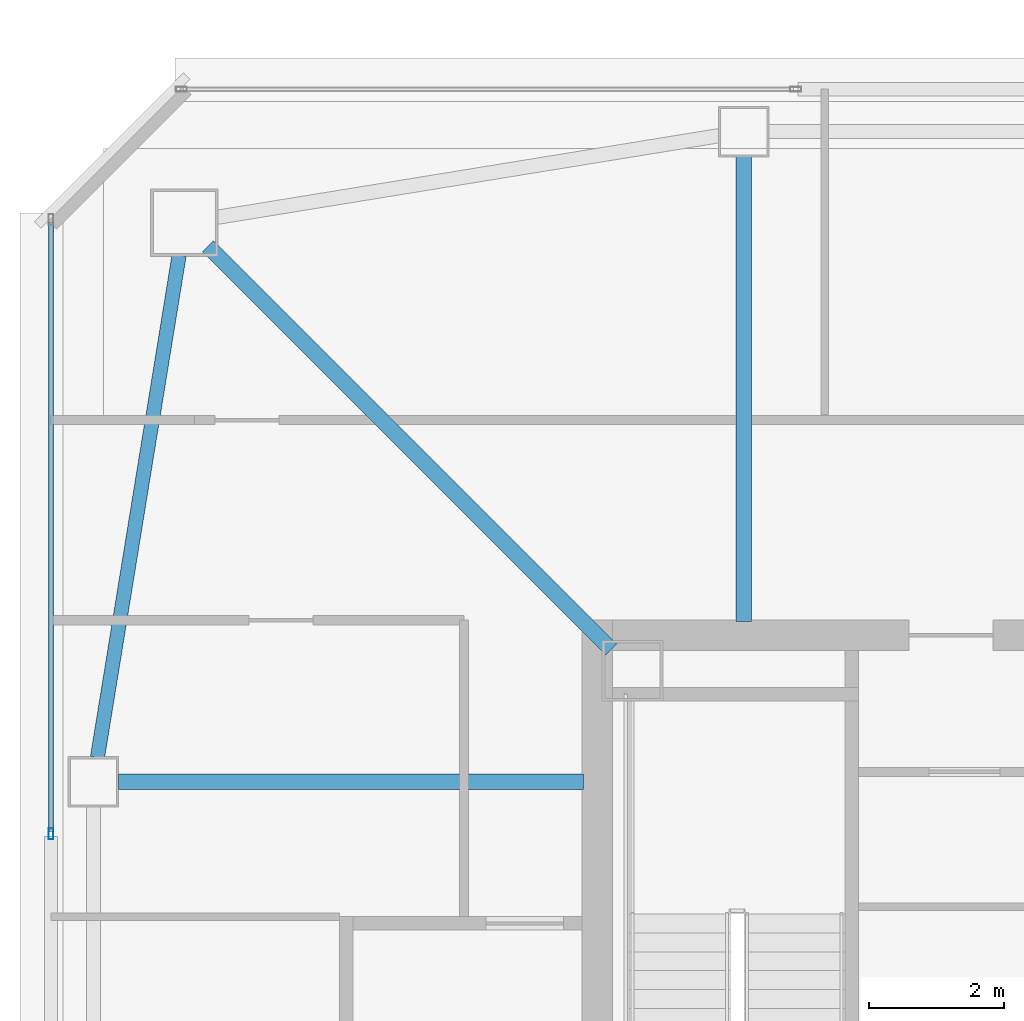
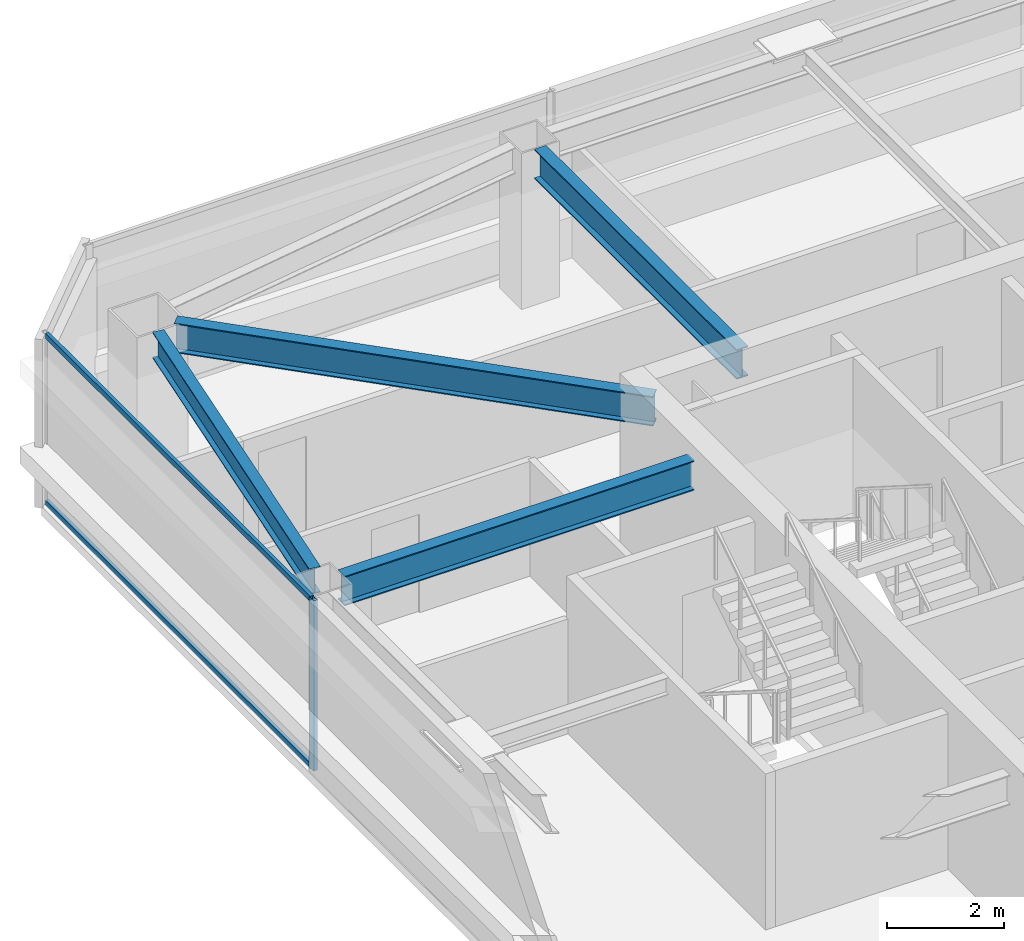
# One storey, part 10 of 39: 4 beams, 3 members, 1 element without a shape of its own.
"""IFC4 building model written with IfcOpenShell, lengths in metres."""

from ifc_helpers import new_model, si_unit, direction, frame, origin, origin_2d, place, context, subcontext, project, spatial, hollow_rectangle, i_section, extrude, material, material_profile, profile_set, type_object, element, aggregate, save


model = new_model("IFC4")

# Units and contexts
model_context = context("Model", 3, precision=1e-05, world=origin(), true_north=direction((0.0, 1.0)))
body_context = subcontext(model_context, "Body", "Model", "MODEL_VIEW")
ifc_project = project(units=[si_unit("LENGTHUNIT", "METRE"), si_unit("AREAUNIT", "SQUARE_METRE"), si_unit("VOLUMEUNIT", "CUBIC_METRE"), si_unit("PLANEANGLEUNIT", "RADIAN"), si_unit("MASSUNIT", "GRAM", prefix="KILO")], contexts=[model_context])

# Site, building, storey
site_placement = place(None, origin())
site = spatial("IfcSite", under=ifc_project, at=site_placement, CompositionType="ELEMENT")
building_placement = place(site_placement, origin())
building = spatial("IfcBuilding", under=site, at=building_placement, Name="Tashvorn Skyway Center", CompositionType="ELEMENT")
storey_placement = place(building_placement, frame((0.0, 0.0, 243.25)))
storey = spatial("IfcBuildingStorey", under=building, at=storey_placement, Name="L66", CompositionType="ELEMENT", Elevation=243.25)

# Beams
ifc_material_1 = material(Name="Steel ASTM A992 Grade 50", Category="steel")
ifc_material_profile_1 = material_profile(ifc_material_1, i_section(OverallWidth=0.22998046875, OverallDepth=0.616943359375, WebThickness=0.01318359375, FlangeThickness=0.022216796875, at=origin_2d()), Name="W24X94")
ifc_profile_set_1 = profile_set([ifc_material_profile_1], Name="Steel ASTM A992 Grade 50")
beam_type_1 = type_object("IfcBeamType", Name="BM-BEAM-W24X94", PredefinedType="BEAM", material=ifc_profile_set_1)
beam_1_placement = place(storey_placement, frame((28.64990234375, 45.35009765625, 2.94140625), z_axis=(0.707106781187, -0.707106781187, 0.0), x_axis=(0.707106781187, 0.707106781187, 0.0)))
element("IfcBeam", 1, at=beam_1_placement, inside=storey, type_object=beam_type_1, Name="Tower 1 L66 Primary Floor Girder MC-NW", PredefinedType="BEAM", context=body_context, shape_type="SweptSolid", body=[
    extrude(i_section(OverallWidth=0.22998046875, OverallDepth=0.616943359375, WebThickness=0.01318359375, FlangeThickness=0.022216796875, at=origin_2d()), origin(), (0.0, 0.0, 1.0), 8.464599609375),
])
for number, where, z_axis, x_axis, name in (
    (2, (36.60009765625, 46.679931640625, 2.94140625), (0.0, -1.0, 0.0), (1.0, 0.0, 0.0), "Tower 1 L66 Primary Floor Girder FC-N2"),
    (3, (27.320068359375, 37.39990234375, 2.94140625), (1.0, 0.0, 0.0), (0.0, 1.0, 0.0), "Tower 1 L66 Primary Floor Girder FC-W1"),
):
    element("IfcBeam", number, at=place(storey_placement, frame(where, z_axis=z_axis, x_axis=x_axis)), inside=storey, type_object=beam_type_1, Name=name, PredefinedType="BEAM", context=body_context, shape_type="SweptSolid", body=[
        extrude(i_section(OverallWidth=0.22998046875, OverallDepth=0.616943359375, WebThickness=0.01318359375, FlangeThickness=0.022216796875, at=origin_2d()), origin(), (0.0, 0.0, 1.0), 6.89990234375),
    ])
ifc_material_profile_2 = material_profile(ifc_material_1, i_section(OverallWidth=0.2109375, OverallDepth=0.5390625, WebThickness=0.01171875, FlangeThickness=0.018798828125, at=origin_2d()), Name="W21X73")
ifc_profile_set_2 = profile_set([ifc_material_profile_2], Name="Steel ASTM A992 Grade 50")
beam_type_2 = type_object("IfcBeamType", Name="BM-SPANDREL-W21X73", PredefinedType="SPANDREL", material=ifc_profile_set_2)
beam_2_placement = place(storey_placement, frame((28.220458984375, 45.21142578125, 2.98046875), z_axis=(-0.160514302677, -0.987033514444, 0.0), x_axis=(0.987033514444, -0.160514302677, 0.0)))
element("IfcBeam", 4, at=beam_2_placement, inside=storey, type_object=beam_type_2, Name="Tower 1 L66 Spandrel Beam 10", PredefinedType="SPANDREL", context=body_context, shape_type="SweptSolid", body=[
    extrude(i_section(OverallWidth=0.2109375, OverallDepth=0.5390625, WebThickness=0.01171875, FlangeThickness=0.018798828125, at=origin_2d()), origin(), (0.0, 0.0, 1.0), 7.544189453125),
])

# Curtain wall, members
ifc_material_2 = material(Name="Thermally broken bronze-anodized aluminium 6063-T6", Category="aluminium")
curtain_wall_type = type_object("IfcCurtainWallType", Name="CW-CW-Z5", PredefinedType="NOTDEFINED", material=ifc_material_2)
curtain_wall_placement = place(storey_placement, origin())
curtain_wall = element("IfcCurtainWall", 5, at=curtain_wall_placement, inside=storey, type_object=curtain_wall_type, Name="Tower 1 L66 West Unitised Curtain Wall Glazing Group 2", PredefinedType="NOTDEFINED")
ifc_material_profile_3 = material_profile(ifc_material_2, hollow_rectangle(XDim=0.070068359375, YDim=0.1650390625, WallThickness=0.00390625, at=origin_2d()), Name="ALU-MULL-70x165")
ifc_profile_set_3 = profile_set([ifc_material_profile_3], Name="Thermally broken bronze-anodized aluminium 6063-T6")
member_type_1 = type_object("IfcMemberType", Name="CWM-CW-Z5", PredefinedType="MULLION", material=ifc_profile_set_3)
member_1_placement = place(storey_placement, frame((26.320068359375, 36.62841796875, 0.0), z_axis=(0.0, 0.0, 1.0), x_axis=(-1.0, 0.0, 0.0)))
member_1 = element("IfcMember", 6, at=member_1_placement, type_object=member_type_1, Name="CW-Z5 mullion 1", PredefinedType="MULLION", context=body_context, shape_type="SweptSolid", body=[
    extrude(hollow_rectangle(XDim=0.070068359375, YDim=0.1650390625, WallThickness=0.00390625, at=origin_2d()), origin(), (0.0, 0.0, 1.0), 3.550048828125),
])
ifc_material_profile_4 = material_profile(ifc_material_2, hollow_rectangle(XDim=0.070068359375, YDim=0.114990234375, WallThickness=0.00390625, at=origin_2d()), Name="ALU-TRAN-70x115")
ifc_profile_set_4 = profile_set([ifc_material_profile_4], Name="Thermally broken bronze-anodized aluminium 6063-T6")
member_type_2 = type_object("IfcMemberType", Name="CWT-CW-Z5", PredefinedType="USERDEFINED", material=ifc_profile_set_4)
member_2_placement = place(storey_placement, frame((26.320068359375, 36.663330078125, 0.034912109375), z_axis=(0.0, 1.0, 0.0), x_axis=(-1.0, 0.0, 0.0)))
member_2 = element("IfcMember", 7, at=member_2_placement, type_object=member_type_2, Name="CW-Z5 transom 1.1", ObjectType="TRANSOM", PredefinedType="USERDEFINED", context=body_context, shape_type="SweptSolid", body=[
    extrude(hollow_rectangle(XDim=0.070068359375, YDim=0.114990234375, WallThickness=0.00390625, at=origin_2d()), origin(), (0.0, 0.0, 1.0), 9.046630859375),
])
member_3_placement = place(storey_placement, frame((26.320068359375, 36.663330078125, 3.514892578125), z_axis=(0.0, 1.0, 0.0), x_axis=(-1.0, 0.0, 0.0)))
member_3 = element("IfcMember", 8, at=member_3_placement, type_object=member_type_2, Name="CW-Z5 transom 1.2", ObjectType="TRANSOM", PredefinedType="USERDEFINED", context=body_context, shape_type="SweptSolid", body=[
    extrude(hollow_rectangle(XDim=0.070068359375, YDim=0.114990234375, WallThickness=0.00390625, at=origin_2d()), origin(), (0.0, 0.0, 1.0), 9.046630859375),
])
aggregate(curtain_wall, [member_1, member_2, member_3])

save(model, "model.ifc")
